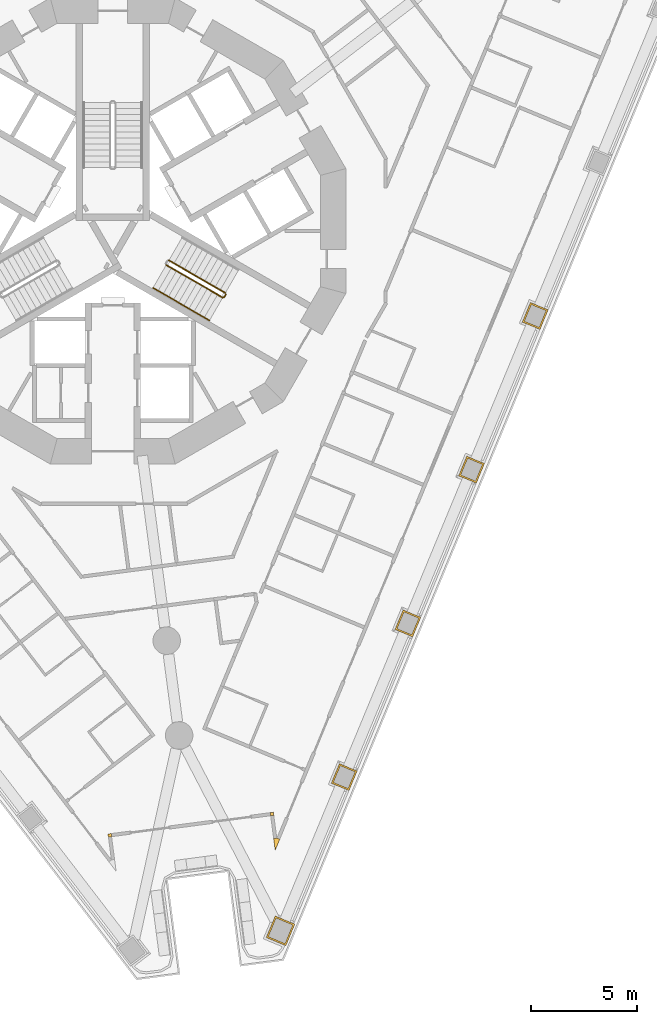
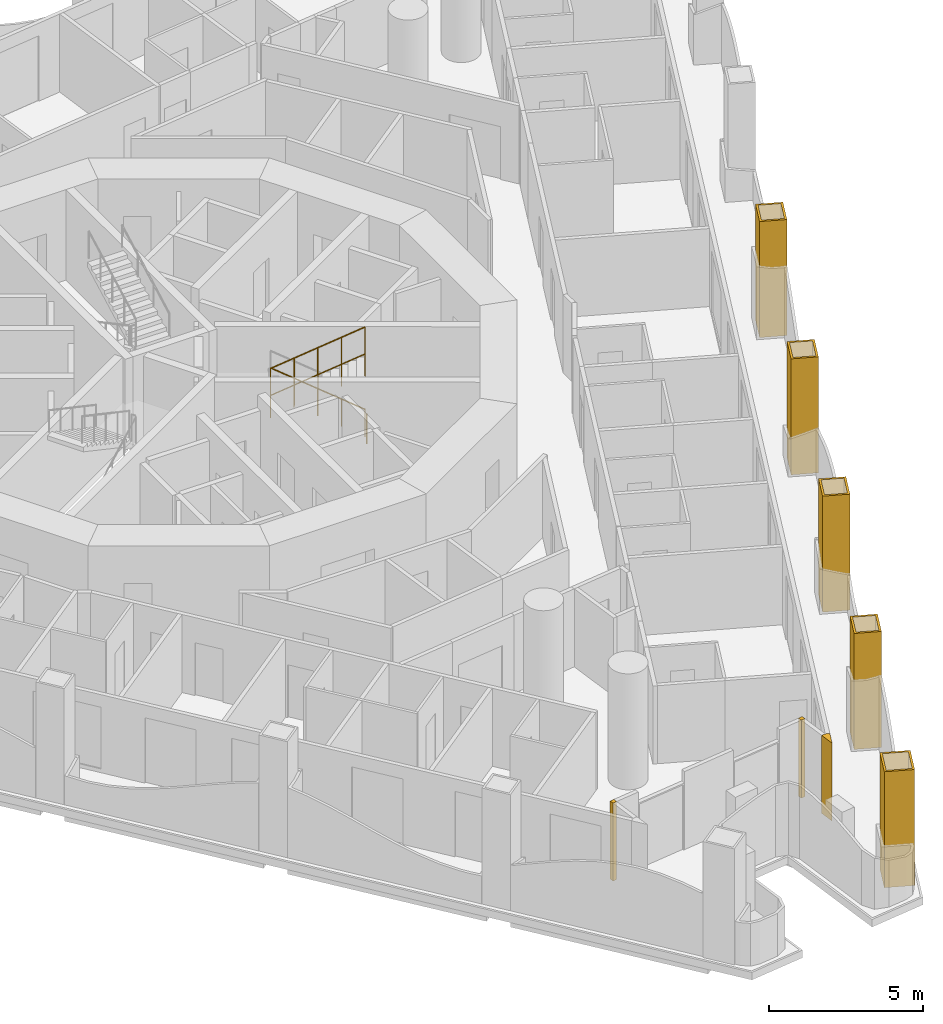
# One storey, part 14 of 19: 8 coverings, 5 railings.
"""IFC4 building model written with IfcOpenShell, lengths in metres."""

from ifc_helpers import new_model, si_unit, direction, frame, origin, origin_2d, place, context, subcontext, project, spatial, polyline, circle, outline, extrude, material, layer, layer_set, type_object, element, save


model = new_model("IFC4")

# Units and contexts
model_context = context("Model", 3, precision=1e-05, world=origin(), true_north=direction((0.0, 1.0)))
body_context = subcontext(model_context, "Body", "Model", "MODEL_VIEW")
ifc_project = project(units=[si_unit("LENGTHUNIT", "METRE"), si_unit("AREAUNIT", "SQUARE_METRE"), si_unit("VOLUMEUNIT", "CUBIC_METRE"), si_unit("PLANEANGLEUNIT", "RADIAN"), si_unit("MASSUNIT", "GRAM", prefix="KILO")], contexts=[model_context])

# Site, building, storey
site_placement = place(None, origin())
site = spatial("IfcSite", under=ifc_project, at=site_placement, CompositionType="ELEMENT")
building_placement = place(site_placement, origin())
building = spatial("IfcBuilding", under=site, at=building_placement, Name="Trine Commons Tower", CompositionType="ELEMENT")
storey_placement = place(building_placement, frame((0.0, 0.0, 79.199951171875)))
storey = spatial("IfcBuildingStorey", under=building, at=storey_placement, Name="L19", CompositionType="ELEMENT", Elevation=79.199951171875)

# Coverings
ifc_material_1 = material(Name="Aluminium-framed insulated wall panel", Category="aluminium")
ifc_layer_1 = layer(ifc_material_1, 0.14990234375)
ifc_layer_set_1 = layer_set([ifc_layer_1], Name="Aluminium-framed insulated wall panel")
covering_type_1 = type_object("IfcCoveringType", Name="Glazing corner post, aluminium", PredefinedType="CLADDING", material=ifc_layer_set_1)
covering_1_placement = place(storey_placement, origin())
element("IfcCovering", 1, at=covering_1_placement, inside=storey, type_object=covering_type_1, Name="Glazing corner post 2-09", PredefinedType="CLADDING", context=body_context, shape_type="SweptSolid", body=[
    extrude(outline(polyline([(87.6015625, 33.79736328125), (87.674560546875, 33.242431640625), (87.888916015625, 33.759521484375), (87.750244140625, 33.81689453125), (87.6015625, 33.79736328125)])), origin(), (0.0, 0.0, 1.0), 3.10009765625),
])
covering_2_placement = place(storey_placement, origin())
element("IfcCovering", 2, at=covering_2_placement, inside=storey, type_object=covering_type_1, Name="Glazing corner post 2-10", PredefinedType="CLADDING", context=body_context, shape_type="SweptSolid", body=[
    extrude(outline(polyline([(87.440185546875, 35.0224609375), (87.459716796875, 34.873779296875), (87.6083984375, 34.893310546875), (87.5888671875, 35.0419921875), (87.440185546875, 35.0224609375)])), origin(), (0.0, 0.0, 1.0), 3.10009765625),
])
covering_3_placement = place(storey_placement, origin())
element("IfcCovering", 3, at=covering_3_placement, inside=storey, type_object=covering_type_1, Name="Glazing corner post 2-11", PredefinedType="CLADDING", context=body_context, shape_type="SweptSolid", body=[
    extrude(outline(polyline([(79.7958984375, 33.864990234375), (79.944580078125, 33.884521484375), (79.925048828125, 34.033203125), (79.7763671875, 34.013671875), (79.7958984375, 33.864990234375)])), origin(), (0.0, 0.0, 1.0), 3.10009765625),
])
ifc_material_2 = material(Name="Limestone, honed", Category="masonry")
ifc_layer_2 = layer(ifc_material_2, 0.074951171875)
ifc_layer_set_2 = layer_set([ifc_layer_2], Name="Limestone, honed")
covering_type_2 = type_object("IfcCoveringType", Name="Limestone column cladding 75", PredefinedType="CLADDING", material=ifc_layer_set_2)
covering_4_placement = place(storey_placement, origin())
element("IfcCovering", 4, at=covering_4_placement, inside=storey, type_object=covering_type_2, Name="Limestone pier cladding 2-20", PredefinedType="CLADDING", context=body_context, shape_type="SweptSolid", body=[
    extrude(outline(polyline([(100.5673828125, 58.77587890625), (99.73583984375, 59.120361328125), (99.35302734375, 58.196533203125), (100.1845703125, 57.852294921875), (100.5673828125, 58.77587890625)]), holes=[polyline([(100.46923828125, 58.7353515625), (99.7763671875, 59.0224609375), (99.451171875, 58.2373046875), (100.14404296875, 57.9501953125), (100.46923828125, 58.7353515625)])]), origin(), (0.0, 0.0, 1.0), 4.609619140625),
])
covering_5_placement = place(storey_placement, origin())
element("IfcCovering", 5, at=covering_5_placement, inside=storey, type_object=covering_type_2, Name="Limestone pier cladding 2-21", PredefinedType="CLADDING", context=body_context, shape_type="SweptSolid", body=[
    extrude(outline(polyline([(97.55908203125, 51.513916015625), (96.727783203125, 51.858154296875), (96.344970703125, 50.934326171875), (97.176513671875, 50.590087890625), (97.55908203125, 51.513916015625)]), holes=[polyline([(97.461181640625, 51.47314453125), (96.768310546875, 51.76025390625), (96.443115234375, 50.97509765625), (97.135986328125, 50.68798828125), (97.461181640625, 51.47314453125)])]), origin(), (0.0, 0.0, 1.0), 4.609619140625),
])
covering_6_placement = place(storey_placement, origin())
element("IfcCovering", 6, at=covering_6_placement, inside=storey, type_object=covering_type_2, Name="Limestone pier cladding 2-22", PredefinedType="CLADDING", context=body_context, shape_type="SweptSolid", body=[
    extrude(outline(polyline([(94.551025390625, 44.251708984375), (93.719482421875, 44.59619140625), (93.3369140625, 43.67236328125), (94.16845703125, 43.327880859375), (94.551025390625, 44.251708984375)]), holes=[polyline([(94.453125, 44.211181640625), (93.76025390625, 44.498291015625), (93.434814453125, 43.712890625), (94.127685546875, 43.42578125), (94.453125, 44.211181640625)])]), origin(), (0.0, 0.0, 1.0), 4.609619140625),
])
covering_7_placement = place(storey_placement, origin())
element("IfcCovering", 7, at=covering_7_placement, inside=storey, type_object=covering_type_2, Name="Limestone pier cladding 2-23", PredefinedType="CLADDING", context=body_context, shape_type="SweptSolid", body=[
    extrude(outline(polyline([(91.54296875, 36.989501953125), (90.71142578125, 37.333984375), (90.328857421875, 36.41015625), (91.160400390625, 36.065673828125), (91.54296875, 36.989501953125)]), holes=[polyline([(91.445068359375, 36.948974609375), (90.752197265625, 37.236083984375), (90.4267578125, 36.45068359375), (91.11962890625, 36.16357421875), (91.445068359375, 36.948974609375)])]), origin(), (0.0, 0.0, 1.0), 4.609619140625),
])
covering_8_placement = place(storey_placement, origin())
element("IfcCovering", 8, at=covering_8_placement, inside=storey, type_object=covering_type_2, Name="Limestone pier cladding 2-24", PredefinedType="CLADDING", context=body_context, shape_type="SweptSolid", body=[
    extrude(outline(polyline([(88.60009765625, 29.75439453125), (87.67626953125, 30.13720703125), (87.25537109375, 29.120849609375), (88.17919921875, 28.738037109375), (88.60009765625, 29.75439453125)]), holes=[polyline([(88.502197265625, 29.7138671875), (87.716796875, 30.0390625), (87.353515625, 29.161376953125), (88.138671875, 28.836181640625), (88.502197265625, 29.7138671875)])]), origin(), (0.0, 0.0, 1.0), 4.609619140625),
])

# Railings
ifc_material_3 = material(Name="Stainless steel balustrade", Category="steel")
railing_type_1 = type_object("IfcRailingType", Name="Stair guard, steel balustrade 1100", PredefinedType="GUARDRAIL", material=ifc_material_3)
railing_1_placement = place(storey_placement, frame((85.31982421875, 59.572998046875, 0.150146484375)))
element("IfcRailing", 9, at=railing_1_placement, inside=storey, type_object=railing_type_1, Name="L19 ST3A stair guard 1", PredefinedType="GUARDRAIL", context=body_context, shape_type="SweptSolid", body=[
    extrude(circle(Radius=0.02392578125, at=origin_2d()), frame((0.0, 0.0, 1.076171875), z_axis=(-0.76340495495, 0.440743040072, 0.472184759798), x_axis=(-0.499992328818, -0.866029832698, 0.0)), (0.0, 0.0, 1.0), 3.494140625),
    extrude(circle(Radius=0.02099609375, at=origin_2d()), origin(), (0.0, 0.0, 1.0), 1.052001953125),
    extrude(circle(Radius=0.02099609375, at=origin_2d()), frame((-0.6669921875, 0.385009765625, 0.41259765625)), (0.0, 0.0, 1.0), 1.052001953125),
    extrude(circle(Radius=0.02099609375, at=origin_2d()), frame((-1.333740234375, 0.77001953125, 0.824951171875)), (0.0, 0.0, 1.0), 1.052001953125),
    extrude(circle(Radius=0.02099609375, at=origin_2d()), frame((-2.00048828125, 1.155029296875, 1.2373046875)), (0.0, 0.0, 1.0), 1.052001953125),
    extrude(circle(Radius=0.02099609375, at=origin_2d()), frame((-2.66748046875, 1.5400390625, 1.64990234375)), (0.0, 0.0, 1.0), 1.052001953125),
])
railing_2_placement = place(storey_placement, frame((82.52734375, 60.896484375, 1.949951171875)))
element("IfcRailing", 10, at=railing_2_placement, inside=storey, type_object=railing_type_1, Name="L19 ST3A stair guard 3", PredefinedType="GUARDRAIL", context=body_context, shape_type="SweptSolid", body=[
    extrude(circle(Radius=0.02392578125, at=origin_2d()), frame((0.0, 0.0, 1.076171875), z_axis=(0.763379768245, -0.440728498818, 0.472239049384), x_axis=(0.499992328818, 0.866029832698, 0.0)), (0.0, 0.0, 1.0), 3.494384765625),
    extrude(circle(Radius=0.02099609375, at=origin_2d()), origin(), (0.0, 0.0, 1.0), 1.052001953125),
    extrude(circle(Radius=0.02099609375, at=origin_2d()), frame((0.6669921875, -0.385009765625, 0.41259765625)), (0.0, 0.0, 1.0), 1.052001953125),
    extrude(circle(Radius=0.02099609375, at=origin_2d()), frame((1.333740234375, -0.77001953125, 0.8251953125)), (0.0, 0.0, 1.0), 1.052001953125),
    extrude(circle(Radius=0.02099609375, at=origin_2d()), frame((2.00048828125, -1.155029296875, 1.237548828125)), (0.0, 0.0, 1.0), 1.052001953125),
    extrude(circle(Radius=0.02099609375, at=origin_2d()), frame((2.66748046875, -1.5400390625, 1.650146484375)), (0.0, 0.0, 1.0), 1.052001953125),
])
railing_3_placement = place(storey_placement, frame((85.338134765625, 59.504638671875, 0.0)))
element("IfcRailing", 11, at=railing_3_placement, inside=storey, type_object=railing_type_1, Name="L19 ST3A stair guard 4", PredefinedType="GUARDRAIL", context=body_context, shape_type="SweptSolid", body=[
    extrude(circle(Radius=0.02392578125, at=origin_2d()), frame((0.0, 0.0, 1.076171875), z_axis=(-0.499816412211, -0.866131372301, 0.0), x_axis=(0.866131372301, -0.499816412211, 0.0)), (0.0, 0.0, 1.0), 0.14990234375),
    extrude(circle(Radius=0.02099609375, at=origin_2d()), origin(), (0.0, 0.0, 1.0), 1.052001953125),
    extrude(circle(Radius=0.02099609375, at=origin_2d()), frame((-0.074951171875, -0.1298828125, 0.0)), (0.0, 0.0, 1.0), 1.052001953125),
])
ifc_material_4 = material(Name="Stainless steel handrail", Category="steel")
railing_type_2 = type_object("IfcRailingType", Name="Stair handrail, steel 900", PredefinedType="HANDRAIL", material=ifc_material_4)
railing_4_placement = place(storey_placement, frame((81.90234375, 59.81396484375, 1.949951171875)))
element("IfcRailing", 12, at=railing_4_placement, inside=storey, type_object=railing_type_2, Name="L19 ST3A stair handrail 3", PredefinedType="HANDRAIL", context=body_context, shape_type="SweptSolid", body=[
    extrude(circle(Radius=0.02099609375, at=origin_2d()), frame((0.0, 0.0, 0.87890625), z_axis=(0.763354580307, -0.440713956853, 0.472293333596), x_axis=(0.499992328818, 0.866029832698, 0.0)), (0.0, 0.0, 1.0), 1.747314453125),
    extrude(circle(Radius=0.01513671875, at=origin_2d()), origin(), (0.0, 0.0, 1.0), 0.85791015625),
    extrude(circle(Radius=0.01513671875, at=origin_2d()), frame((0.6669921875, -0.385009765625, 0.41259765625)), (0.0, 0.0, 1.0), 0.85791015625),
    extrude(circle(Radius=0.01513671875, at=origin_2d()), frame((1.333740234375, -0.77001953125, 0.8251953125)), (0.0, 0.0, 1.0), 0.85791015625),
])
railing_5_placement = place(storey_placement, frame((83.236083984375, 59.0439453125, 2.775146484375)))
element("IfcRailing", 13, at=railing_5_placement, inside=storey, type_object=railing_type_2, Name="L19 ST3A stair handrail 4", PredefinedType="HANDRAIL", context=body_context, shape_type="SweptSolid", body=[
    extrude(circle(Radius=0.02099609375, at=origin_2d()), frame((0.0, 0.0, 0.87890625), z_axis=(0.76340495495, -0.440743040072, 0.472184759798), x_axis=(0.499992328818, 0.866029832698, 0.0)), (0.0, 0.0, 1.0), 1.7470703125),
    extrude(circle(Radius=0.01513671875, at=origin_2d()), origin(), (0.0, 0.0, 1.0), 0.85791015625),
    extrude(circle(Radius=0.01513671875, at=origin_2d()), frame((0.6669921875, -0.385009765625, 0.41259765625)), (0.0, 0.0, 1.0), 0.85791015625),
    extrude(circle(Radius=0.01513671875, at=origin_2d()), frame((1.333740234375, -0.77001953125, 0.824951171875)), (0.0, 0.0, 1.0), 0.85791015625),
])

save(model, "model.ifc")
